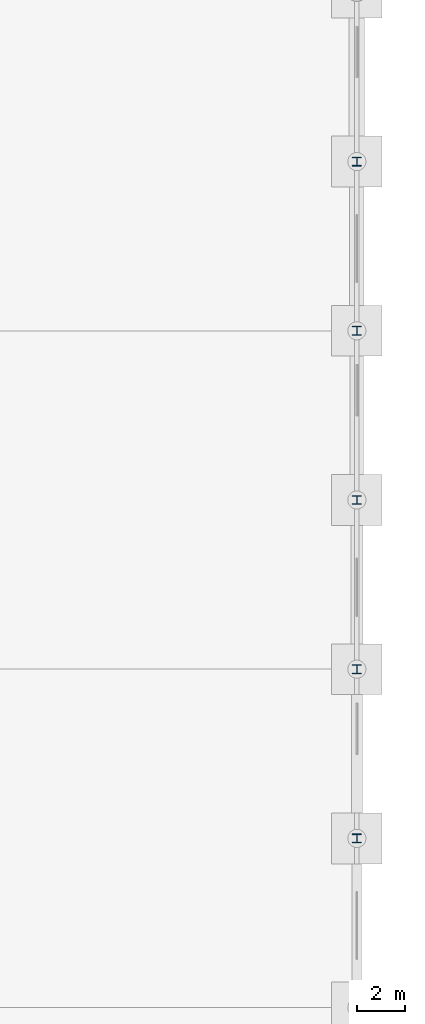
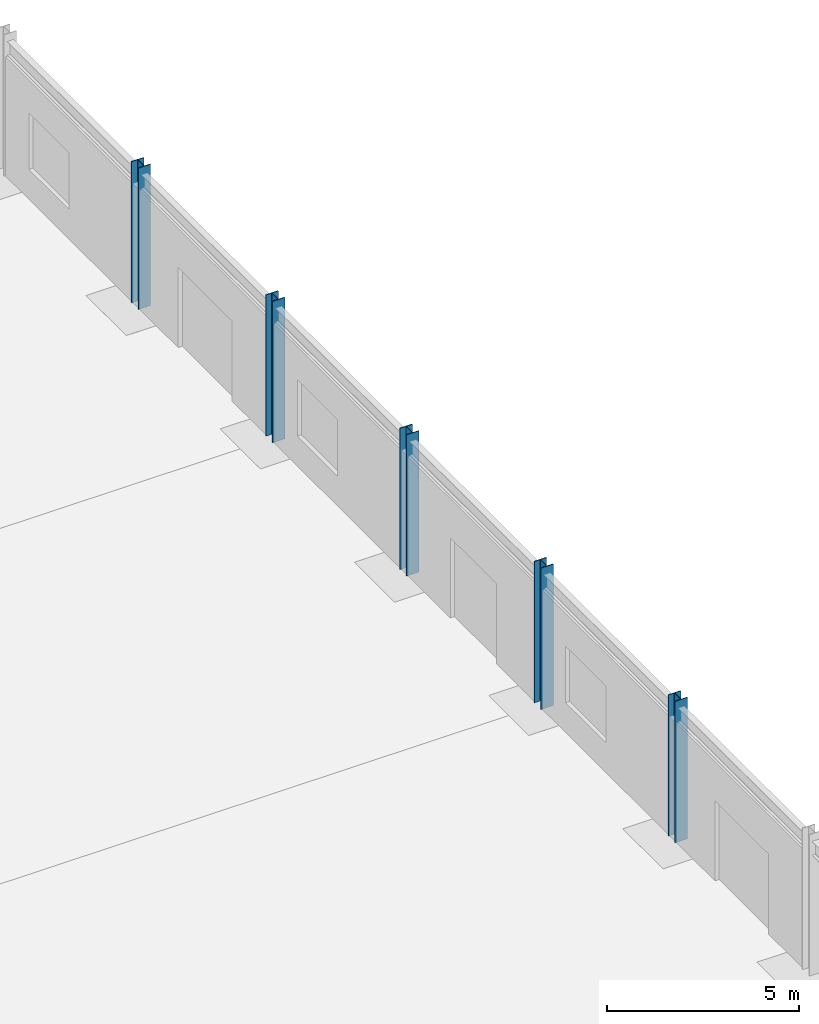
# One storey, part 19 of 84: 5 columns.
"""IFC4 building model written with IfcOpenShell, lengths in metres."""

from ifc_helpers import new_model, si_unit, direction, frame, origin, origin_2d, place, context, subcontext, project, spatial, i_section, extrude, material, material_profile, profile_set, type_object, element, save


model = new_model("IFC4")

# Units and contexts
model_context = context("Model", 3, precision=1e-05, world=origin(), true_north=direction((0.0, 1.0)))
body_context = subcontext(model_context, "Body", "Model", "MODEL_VIEW")
ifc_project = project(units=[si_unit("LENGTHUNIT", "METRE"), si_unit("AREAUNIT", "SQUARE_METRE"), si_unit("VOLUMEUNIT", "CUBIC_METRE"), si_unit("PLANEANGLEUNIT", "RADIAN"), si_unit("MASSUNIT", "GRAM", prefix="KILO")], contexts=[model_context])

# Site, building, storey
site_placement = place(None, origin())
site = spatial("IfcSite", under=ifc_project, at=site_placement, CompositionType="ELEMENT")
building_placement = place(site_placement, origin())
building = spatial("IfcBuilding", under=site, at=building_placement, Name="Larkveld Mobility Hub", CompositionType="ELEMENT")
storey_placement = place(building_placement, origin())
storey = spatial("IfcBuildingStorey", under=building, at=storey_placement, Name="L00", CompositionType="ELEMENT", Elevation=0.0)

# Columns
ifc_material = material(Name="Steel S355JR", Category="steel")
ifc_material_profile = material_profile(ifc_material, i_section(OverallWidth=0.37255859375, OverallDepth=0.3681640625, WebThickness=0.014404296875, FlangeThickness=0.023681640625, FilletRadius=0.01513671875, at=origin_2d()), Name="UC 356x368x177")
ifc_profile_set = profile_set([ifc_material_profile], Name="Steel S355JR")
column_type = type_object("IfcColumnType", Name="CL-STUC356", PredefinedType="COLUMN", material=ifc_profile_set)
for number, where, z_axis, x_axis, name in (
    (1, (184.0, 63.0, 0.0), (0.0, 0.0, 1.0), (1.0, 0.0, 0.0), "Column V1-X184-Y63 (L00)"),
    (2, (184.0, 70.0, 0.0), (0.0, 0.0, 1.0), (1.0, 0.0, 0.0), "Column V1-X184-Y70 (L00)"),
    (3, (184.0, 77.0, 0.0), (0.0, 0.0, 1.0), (1.0, 0.0, 0.0), "Column V1-X184-Y77 (L00)"),
    (4, (184.0, 84.0, 0.0), (0.0, 0.0, 1.0), (1.0, 0.0, 0.0), "Column V1-X184-Y84 (L00)"),
    (5, (184.0, 91.0, 0.0), (0.0, 0.0, 1.0), (1.0, 0.0, 0.0), "Column V1-X184-Y91 (L00)"),
):
    element("IfcColumn", number, at=place(storey_placement, frame(where, z_axis=z_axis, x_axis=x_axis)), inside=storey, type_object=column_type, Name=name, PredefinedType="COLUMN", context=body_context, shape_type="SweptSolid", body=[
        extrude(i_section(OverallWidth=0.37255859375, OverallDepth=0.3681640625, WebThickness=0.014404296875, FlangeThickness=0.023681640625, FilletRadius=0.01513671875, at=origin_2d()), origin(), (0.0, 0.0, 1.0), 4.5),
    ])

save(model, "model.ifc")
